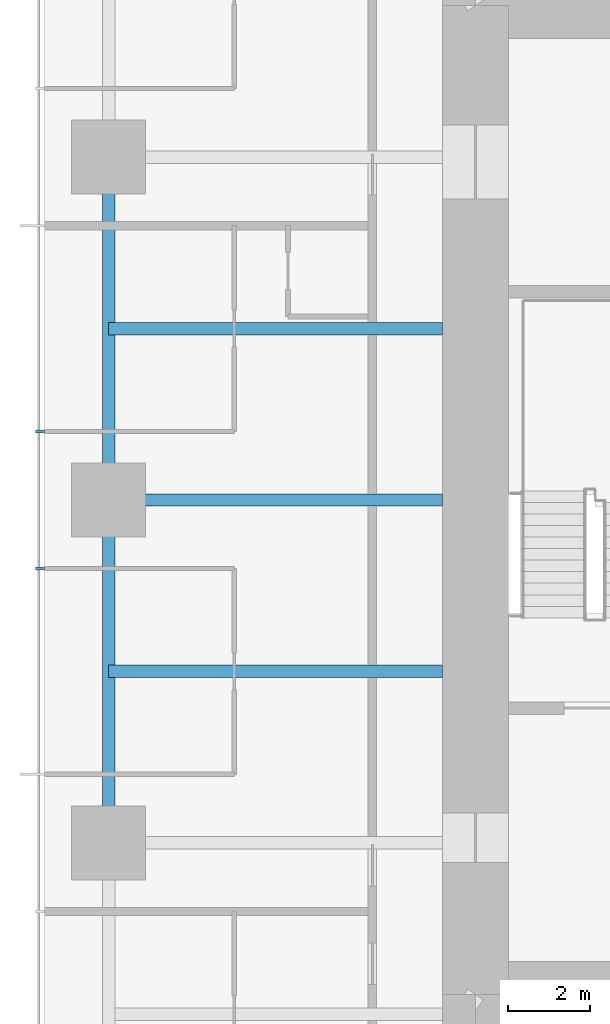
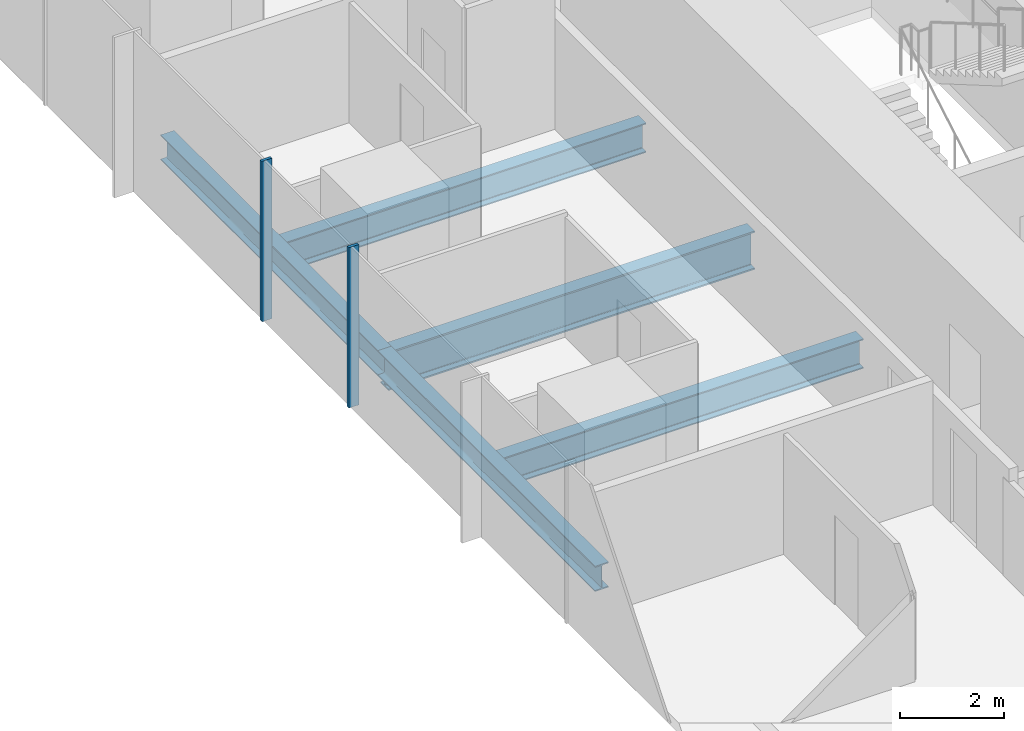
# One storey, part 3 of 12: 5 beams, 2 members, 1 element without a shape of its own.
"""IFC4 building model written with IfcOpenShell, lengths in metres."""

from ifc_helpers import new_model, si_unit, direction, frame, origin, origin_2d, place, context, subcontext, project, spatial, rectangle, i_section, extrude, material, material_profile, profile_set, type_object, element, aggregate, save


model = new_model("IFC4")

# Units and contexts
model_context = context("Model", 3, precision=1e-05, world=origin(), true_north=direction((0.0, 1.0)))
body_context = subcontext(model_context, "Body", "Model", "MODEL_VIEW")
ifc_project = project(units=[si_unit("LENGTHUNIT", "METRE"), si_unit("AREAUNIT", "SQUARE_METRE"), si_unit("VOLUMEUNIT", "CUBIC_METRE"), si_unit("PLANEANGLEUNIT", "RADIAN"), si_unit("MASSUNIT", "GRAM", prefix="KILO")], contexts=[model_context])

# Site, building, storey
site_placement = place(None, origin())
site = spatial("IfcSite", under=ifc_project, at=site_placement, CompositionType="ELEMENT")
building_placement = place(site_placement, origin())
building = spatial("IfcBuilding", under=site, at=building_placement, Name="Khuree Lantern Residences", CompositionType="ELEMENT")
storey_placement = place(building_placement, frame((0.0, 0.0, 233.25)))
storey = spatial("IfcBuildingStorey", under=building, at=storey_placement, Name="L58", CompositionType="ELEMENT", Elevation=233.25)

# Beams
ifc_material_1 = material(Name="Steel S355", Category="steel")
ifc_material_profile_1 = material_profile(ifc_material_1, i_section(OverallWidth=0.300048828125, OverallDepth=0.68994140625, WebThickness=0.014404296875, FlangeThickness=0.027099609375, FilletRadius=0.027099609375, at=origin_2d()), Name="HE 700 A")
ifc_profile_set_1 = profile_set([ifc_material_profile_1], Name="Steel S355")
beam_type_1 = type_object("IfcBeamType", Name="B-33 SECONDARY BEAM HE 700 A", PredefinedType="BEAM", material=ifc_profile_set_1)
for number, where, z_axis, x_axis, name in (
    (1, (-24.39990234375, -4.159912109375, -0.594970703125), (1.0, 0.0, 0.0), (0.0, 1.0, 0.0), "Secondary beam W3"),
    (2, (-24.39990234375, 4.159912109375, -0.594970703125), (1.0, 0.0, 0.0), (0.0, 1.0, 0.0), "Secondary beam W4"),
):
    element("IfcBeam", number, at=place(storey_placement, frame(where, z_axis=z_axis, x_axis=x_axis)), inside=storey, type_object=beam_type_1, Name=name, PredefinedType="BEAM", context=body_context, shape_type="SweptSolid", body=[
        extrude(i_section(OverallWidth=0.300048828125, OverallDepth=0.68994140625, WebThickness=0.014404296875, FlangeThickness=0.027099609375, FilletRadius=0.027099609375, at=origin_2d()), origin(), (0.0, 0.0, 1.0), 8.099853515625),
    ])
ifc_material_profile_2 = material_profile(ifc_material_1, i_section(OverallWidth=0.300048828125, OverallDepth=0.590087890625, WebThickness=0.012939453125, FlangeThickness=0.02490234375, FilletRadius=0.027099609375, at=origin_2d()), Name="HE 600 A")
ifc_profile_set_2 = profile_set([ifc_material_profile_2], Name="Steel S355")
beam_type_2 = type_object("IfcBeamType", Name="E-33 SPANDREL BEAM HE 600 A", PredefinedType="SPANDREL", material=ifc_profile_set_2)
for number, where, z_axis, x_axis, name in (
    (3, (-24.39990234375, -8.320068359375, -0.544921875), (0.0, 1.0, 0.0), (-1.0, 0.0, 0.0), "Spandrel beam W3"),
    (4, (-24.39990234375, 0.0, -0.544921875), (0.0, 1.0, 0.0), (-1.0, 0.0, 0.0), "Spandrel beam W4"),
):
    element("IfcBeam", number, at=place(storey_placement, frame(where, z_axis=z_axis, x_axis=x_axis)), inside=storey, type_object=beam_type_2, Name=name, PredefinedType="SPANDREL", context=body_context, shape_type="SweptSolid", body=[
        extrude(i_section(OverallWidth=0.300048828125, OverallDepth=0.590087890625, WebThickness=0.012939453125, FlangeThickness=0.02490234375, FilletRadius=0.027099609375, at=origin_2d()), origin(), (0.0, 0.0, 1.0), 8.320068359375),
    ])
ifc_material_profile_3 = material_profile(ifc_material_1, i_section(OverallWidth=0.300048828125, OverallDepth=0.89990234375, WebThickness=0.0185546875, FlangeThickness=0.034912109375, FilletRadius=0.030029296875, at=origin_2d()), Name="HE 900 B")
ifc_profile_set_3 = profile_set([ifc_material_profile_3], Name="Steel S355")
beam_type_3 = type_object("IfcBeamType", Name="G-33 GIRDER HE 900 B", PredefinedType="BEAM", material=ifc_profile_set_3)
beam_placement = place(storey_placement, frame((-24.39990234375, 0.0, -0.699951171875), z_axis=(1.0, 0.0, 0.0), x_axis=(0.0, 1.0, 0.0)))
element("IfcBeam", 5, at=beam_placement, inside=storey, type_object=beam_type_3, Name="Girder W3", PredefinedType="BEAM", context=body_context, shape_type="SweptSolid", body=[
    extrude(i_section(OverallWidth=0.300048828125, OverallDepth=0.89990234375, WebThickness=0.0185546875, FlangeThickness=0.034912109375, FilletRadius=0.030029296875, at=origin_2d()), origin(), (0.0, 0.0, 1.0), 8.099853515625),
])

# Curtain wall, members
ifc_material_2 = material(Name="Bronze anodised aluminium", Category="aluminium")
curtain_wall_type = type_object("IfcCurtainWallType", Name="CW-T1 TOWER FACE CURTAIN WALL", PredefinedType="USERDEFINED", material=ifc_material_2)
curtain_wall_placement = place(storey_placement, origin())
curtain_wall = element("IfcCurtainWall", 6, at=curtain_wall_placement, inside=storey, type_object=curtain_wall_type, Name="L58 WEST FACE CURTAIN WALL", ObjectType="Stick-built curtain wall", PredefinedType="USERDEFINED")
ifc_material_profile_4 = material_profile(ifc_material_2, rectangle(XDim=0.06494140625, YDim=0.219970703125, at=origin_2d()), Name="M1 65X220")
ifc_profile_set_4 = profile_set([ifc_material_profile_4], Name="Bronze anodised aluminium")
member_type = type_object("IfcMemberType", Name="M1 BRONZE MULLION TOWER 65X220", PredefinedType="MULLION", material=ifc_profile_set_4)
member_1_placement = place(storey_placement, frame((-26.06005859375, 1.6640625, 0.0), z_axis=(0.0, 0.0, 1.0), x_axis=(0.0, -1.0, 0.0)))
member_1 = element("IfcMember", 7, at=member_1_placement, type_object=member_type, Name="L58 WEST FACE MULLION 37", PredefinedType="MULLION", context=body_context, shape_type="SweptSolid", body=[
    extrude(rectangle(XDim=0.06494140625, YDim=0.219970703125, at=origin_2d()), origin(), (0.0, 0.0, 1.0), 3.75),
])
member_2_placement = place(storey_placement, frame((-26.06005859375, -1.6640625, 0.0), z_axis=(0.0, 0.0, 1.0), x_axis=(0.0, -1.0, 0.0)))
member_2 = element("IfcMember", 8, at=member_2_placement, type_object=member_type, Name="L58 WEST FACE MULLION 38", PredefinedType="MULLION", context=body_context, shape_type="SweptSolid", body=[
    extrude(rectangle(XDim=0.06494140625, YDim=0.219970703125, at=origin_2d()), origin(), (0.0, 0.0, 1.0), 3.75),
])
aggregate(curtain_wall, [member_1, member_2])

save(model, "model.ifc")
